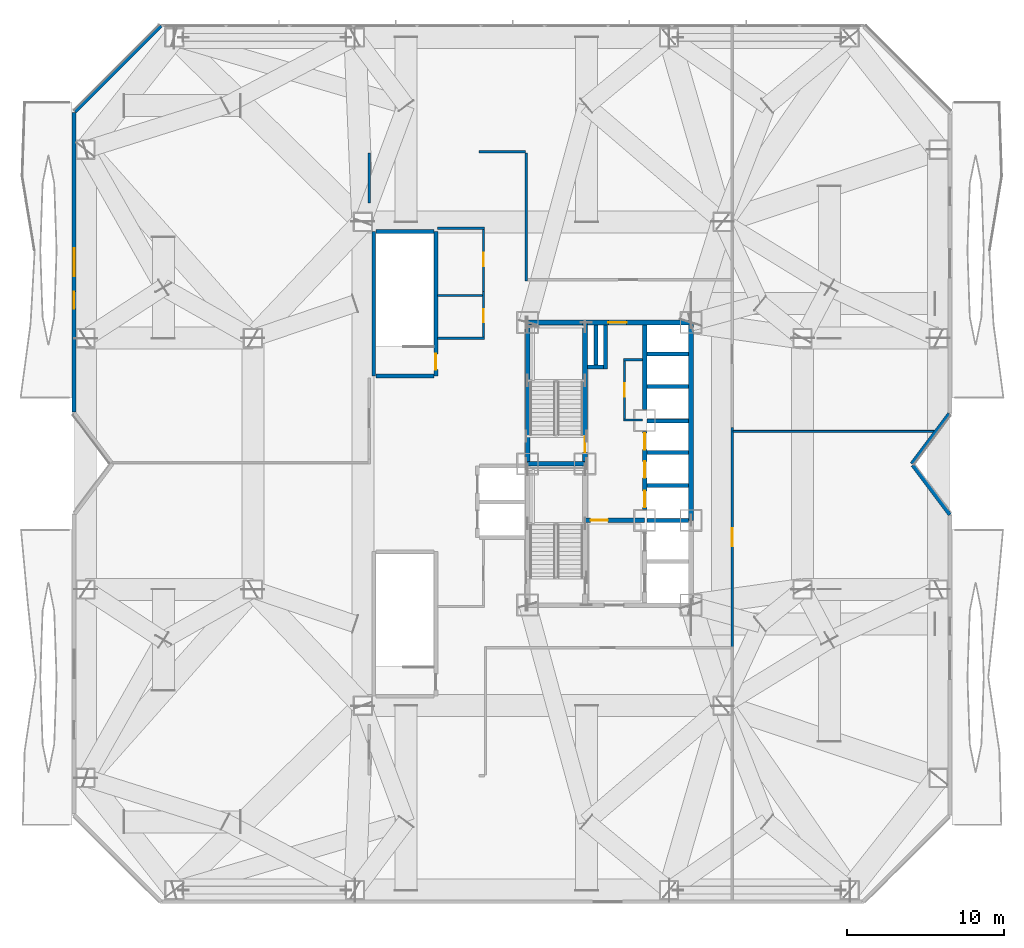
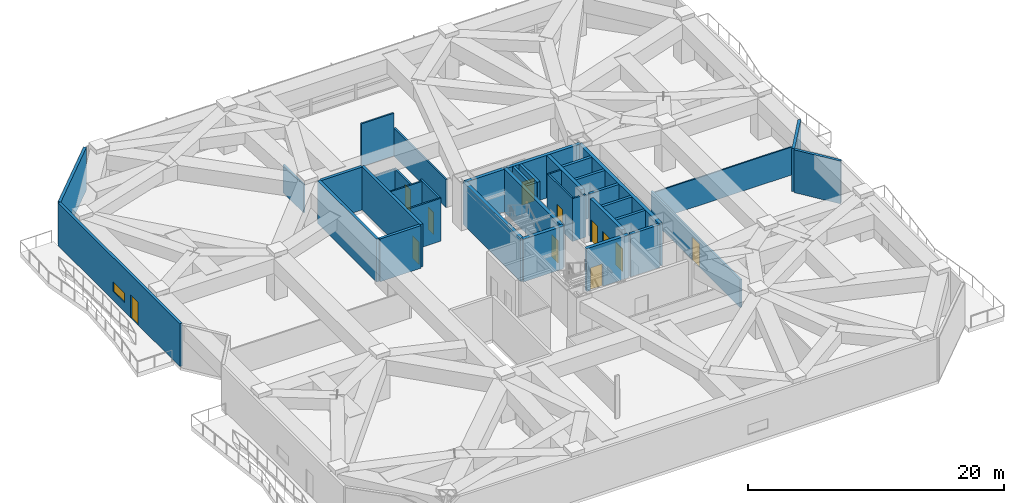
# One storey, part 21 of 27: 38 walls, 12 doors, 1 window, 13 openings.
"""IFC4 building model written with IfcOpenShell, lengths in metres."""

from ifc_helpers import new_model, si_unit, direction, frame, frame_2d, origin, place, context, subcontext, project, spatial, rectangle, extrude, material, layer, layer_set, type_object, element, fill, save


model = new_model("IFC4")

# Units and contexts
model_context = context("Model", 3, precision=1e-05, world=origin(), true_north=direction((0.0, 1.0)))
body_context = subcontext(model_context, "Body", "Model", "MODEL_VIEW")
ifc_project = project(units=[si_unit("LENGTHUNIT", "METRE"), si_unit("AREAUNIT", "SQUARE_METRE"), si_unit("VOLUMEUNIT", "CUBIC_METRE"), si_unit("PLANEANGLEUNIT", "RADIAN"), si_unit("MASSUNIT", "GRAM", prefix="KILO")], contexts=[model_context])

# Site, building, storey
site_placement = place(None, origin())
site = spatial("IfcSite", under=ifc_project, at=site_placement, CompositionType="ELEMENT")
building_placement = place(site_placement, origin())
building = spatial("IfcBuilding", under=site, at=building_placement, Name="Khamvora Tower", CompositionType="ELEMENT")
storey_placement = place(building_placement, frame((0.0, 0.0, 28.800048828125)))
storey = spatial("IfcBuildingStorey", under=building, at=storey_placement, Name="L06", CompositionType="ELEMENT", Elevation=28.800048828125)

# Wall
ifc_material_1 = material(Name="Concrete C50/60", Category="concrete")
ifc_layer_1 = layer(ifc_material_1, 0.300048828125)
ifc_layer_set_1 = layer_set([ifc_layer_1], Name="Concrete C50/60")
wall_type_1 = type_object("IfcWallType", Name="WAL-CORE-300", PredefinedType="SHEAR", material=ifc_layer_set_1)
wall_1_placement = place(storey_placement, frame((29.0, 28.0, 0.0), z_axis=(0.0, 0.0, 1.0), x_axis=(0.0, 1.0, 0.0)))
element("IfcWall", 1, at=wall_1_placement, inside=storey, type_object=wall_type_1, Name="L06 central core west north wall", PredefinedType="SHEAR", context=body_context, shape_type="SweptSolid", body=[
    extrude(rectangle(XDim=9.0, YDim=0.300048828125, at=frame_2d((4.5, 0.0))), origin(), (0.0, 0.0, 1.0), 4.079833984375),
])

# Wall, opening, door
wall_2_placement = place(storey_placement, frame((29.0, 37.0, 0.0), z_axis=(0.0, 0.0, 1.0), x_axis=(1.0, 0.0, 0.0)))
wall_2 = element("IfcWall", 2, at=wall_2_placement, inside=storey, type_object=wall_type_1, Name="L06 central core north wall", PredefinedType="SHEAR", context=body_context, shape_type="SweptSolid", body=[
    extrude(rectangle(XDim=10.39990234375, YDim=0.300048828125, at=frame_2d((5.199951171875, 0.0))), origin(), (0.0, 0.0, 1.0), 4.079833984375),
])
opening_1_placement = place(wall_2_placement, frame((5.139892578125, 0.0, 0.0)))
opening_1 = element("IfcOpeningElement", 3, at=opening_1_placement, cuts=wall_2, Name="Opening D-SC1", PredefinedType="OPENING", context=body_context, shape_type="SweptSolid", body=[
    extrude(rectangle(XDim=1.14990234375, YDim=2.199951171875, at=frame_2d((0.574951171875, 1.10009765625))), frame((0.0, 0.159912109375, 0.0), z_axis=(0.0, -1.0, 0.0), x_axis=(1.0, 0.0, 0.0)), (0.0, 0.0, 1.0), 0.320068359375),
])
ifc_material_2 = material(Name="Powder-Coated Steel and Hardwood Leaf", Category="steel")
door_type_1 = type_object("IfcDoorType", Name="DOR-SCHL-1150", OperationType="NOTDEFINED", PredefinedType="DOOR", material=ifc_material_2)
door_1_placement = place(opening_1_placement, origin())
door_1 = element("IfcDoor", 4, at=door_1_placement, inside=storey, type_object=door_type_1, Name="L06 north core lobby to corridor fire door", OperationType="SINGLE_SWING_LEFT", OverallHeight=2.199951171875, OverallWidth=1.14990234375, PredefinedType="DOOR", context=body_context, shape_type="SweptSolid", body=[
    extrude(rectangle(XDim=1.14990234375, YDim=2.199951171875, at=frame_2d((0.574951171875, 1.10009765625))), frame((0.0, 0.02490234375, 0.0), z_axis=(0.0, -1.0, 0.0), x_axis=(1.0, 0.0, 0.0)), (0.0, 0.0, 1.0), 0.050048828125),
])
fill(opening_1, door_1)

# Wall
wall_3_placement = place(storey_placement, frame((39.39990234375, 24.39990234375, 0.0), z_axis=(0.0, 0.0, 1.0), x_axis=(0.0, 1.0, 0.0)))
element("IfcWall", 5, at=wall_3_placement, inside=storey, type_object=wall_type_1, Name="L06 central core east north wall", PredefinedType="SHEAR", context=body_context, shape_type="SweptSolid", body=[
    extrude(rectangle(XDim=12.60009765625, YDim=0.300048828125, at=frame_2d((6.300048828125, 0.0))), origin(), (0.0, 0.0, 1.0), 4.079833984375),
])

# Wall, opening, door
wall_4_placement = place(storey_placement, frame((32.64990234375, 28.0, 0.0), z_axis=(0.0, 0.0, 1.0), x_axis=(0.0, 1.0, 0.0)))
wall_4 = element("IfcWall", 6, at=wall_4_placement, inside=storey, type_object=wall_type_1, Name="L06 central core stair north spine wall", PredefinedType="SHEAR", context=body_context, shape_type="SweptSolid", body=[
    extrude(rectangle(XDim=9.0, YDim=0.300048828125, at=frame_2d((4.5, 0.0))), origin(), (0.0, 0.0, 1.0), 4.079833984375),
])
opening_2_placement = place(wall_4_placement, frame((0.719970703125, 0.0, 0.0)))
opening_2 = element("IfcOpeningElement", 7, at=opening_2_placement, cuts=wall_4, Name="Opening D-ST1", PredefinedType="OPENING", context=body_context, shape_type="SweptSolid", body=[
    extrude(rectangle(XDim=1.0, YDim=2.14990234375, at=frame_2d((0.5, 1.074951171875))), frame((0.0, 0.159912109375, 0.0), z_axis=(0.0, -1.0, 0.0), x_axis=(1.0, 0.0, 0.0)), (0.0, 0.0, 1.0), 0.320068359375),
])
door_type_2 = type_object("IfcDoorType", Name="DOR-STAIR-1000", OperationType="NOTDEFINED", PredefinedType="DOOR", material=ifc_material_2)
door_2_placement = place(opening_2_placement, origin())
door_2 = element("IfcDoor", 8, at=door_2_placement, inside=storey, type_object=door_type_2, Name="L06 exit stair ST-02 fire door", OperationType="SINGLE_SWING_RIGHT", OverallHeight=2.14990234375, OverallWidth=1.0, PredefinedType="DOOR", context=body_context, shape_type="SweptSolid", body=[
    extrude(rectangle(XDim=1.0, YDim=2.14990234375, at=frame_2d((0.5, 1.074951171875))), frame((0.0, 0.02490234375, 0.0), z_axis=(0.0, -1.0, 0.0), x_axis=(1.0, 0.0, 0.0)), (0.0, 0.0, 1.0), 0.050048828125),
])
fill(opening_2, door_2)

# Wall
wall_5_placement = place(storey_placement, frame((29.0, 28.0, 0.0), z_axis=(0.0, 0.0, 1.0), x_axis=(1.0, 0.0, 0.0)))
element("IfcWall", 9, at=wall_5_placement, inside=storey, type_object=wall_type_1, Name="L06 central core stair cross wall", PredefinedType="SHEAR", context=body_context, shape_type="SweptSolid", body=[
    extrude(rectangle(XDim=3.64990234375, YDim=0.300048828125, at=frame_2d((1.824951171875, 0.0))), origin(), (0.0, 0.0, 1.0), 4.079833984375),
])

# Wall, opening, door
wall_6_placement = place(storey_placement, frame((32.64990234375, 24.39990234375, 0.0), z_axis=(0.0, 0.0, 1.0), x_axis=(1.0, 0.0, 0.0)))
wall_6 = element("IfcWall", 10, at=wall_6_placement, inside=storey, type_object=wall_type_1, Name="L06 central core firefighting lobby north wall", PredefinedType="SHEAR", context=body_context, shape_type="SweptSolid", body=[
    extrude(rectangle(XDim=3.800048828125, YDim=0.300048828125, at=frame_2d((1.89990234375, 0.0))), origin(), (0.0, 0.0, 1.0), 4.079833984375),
])
opening_3_placement = place(wall_6_placement, frame((0.35009765625, 0.0, 0.0)))
opening_3 = element("IfcOpeningElement", 11, at=opening_3_placement, cuts=wall_6, Name="Opening D-FF1", PredefinedType="OPENING", context=body_context, shape_type="SweptSolid", body=[
    extrude(rectangle(XDim=1.10009765625, YDim=2.14990234375, at=frame_2d((0.550048828125, 1.074951171875))), frame((0.0, 0.159912109375, 0.0), z_axis=(0.0, -1.0, 0.0), x_axis=(1.0, 0.0, 0.0)), (0.0, 0.0, 1.0), 0.320068359375),
])
door_type_3 = type_object("IfcDoorType", Name="DOR-FFLOB-1100", OperationType="NOTDEFINED", PredefinedType="DOOR", material=ifc_material_2)
door_3_placement = place(opening_3_placement, origin())
door_3 = element("IfcDoor", 12, at=door_3_placement, inside=storey, type_object=door_type_3, Name="L06 firefighting lobby smoke-seal fire door", OperationType="SINGLE_SWING_LEFT", OverallHeight=2.14990234375, OverallWidth=1.10009765625, PredefinedType="DOOR", context=body_context, shape_type="SweptSolid", body=[
    extrude(rectangle(XDim=1.10009765625, YDim=2.14990234375, at=frame_2d((0.550048828125, 1.074951171875))), frame((0.0, 0.02490234375, 0.0), z_axis=(0.0, -1.0, 0.0), x_axis=(1.0, 0.0, 0.0)), (0.0, 0.0, 1.0), 0.050048828125),
])
fill(opening_3, door_3)

# Wall, openings, doors
wall_7_placement = place(storey_placement, frame((36.449951171875, 25.10009765625, 0.0), z_axis=(0.0, 0.0, 1.0), x_axis=(0.0, 1.0, 0.0)))
wall_7 = element("IfcWall", 13, at=wall_7_placement, inside=storey, type_object=wall_type_1, Name="L06 central core lift bank central wall", PredefinedType="SHEAR", context=body_context, shape_type="SweptSolid", body=[
    extrude(rectangle(XDim=4.949951171875, YDim=0.300048828125, at=frame_2d((2.47509765625, 0.0))), origin(), (0.0, 0.0, 1.0), 4.079833984375),
])
opening_4_placement = place(wall_7_placement, frame((0.1201171875, 0.0, 0.0)))
opening_4 = element("IfcOpeningElement", 14, at=opening_4_placement, cuts=wall_7, Name="Opening LD-PL", PredefinedType="OPENING", context=body_context, shape_type="SweptSolid", body=[
    extrude(rectangle(XDim=1.050048828125, YDim=2.14990234375, at=frame_2d((0.52490234375, 1.074951171875))), frame((0.0, 0.159912109375, 0.0), z_axis=(0.0, -1.0, 0.0), x_axis=(1.0, 0.0, 0.0)), (0.0, 0.0, 1.0), 0.320068359375),
])
opening_5_placement = place(wall_7_placement, frame((1.9951171875, 0.0, 0.0)))
opening_5 = element("IfcOpeningElement", 15, at=opening_5_placement, cuts=wall_7, Name="Opening LD-PL", PredefinedType="OPENING", context=body_context, shape_type="SweptSolid", body=[
    extrude(rectangle(XDim=1.050048828125, YDim=2.14990234375, at=frame_2d((0.52490234375, 1.074951171875))), frame((0.0, 0.159912109375, 0.0), z_axis=(0.0, -1.0, 0.0), x_axis=(1.0, 0.0, 0.0)), (0.0, 0.0, 1.0), 0.320068359375),
])
opening_6_placement = place(wall_7_placement, frame((3.794921875, 0.0, 0.0)))
opening_6 = element("IfcOpeningElement", 16, at=opening_6_placement, cuts=wall_7, Name="Opening LD-PL", PredefinedType="OPENING", context=body_context, shape_type="SweptSolid", body=[
    extrude(rectangle(XDim=1.050048828125, YDim=2.14990234375, at=frame_2d((0.52490234375, 1.074951171875))), frame((0.0, 0.159912109375, 0.0), z_axis=(0.0, -1.0, 0.0), x_axis=(1.0, 0.0, 0.0)), (0.0, 0.0, 1.0), 0.320068359375),
])
door_type_4 = type_object("IfcDoorType", Name="DOR-LIFT-1050", OperationType="SLIDING_TO_LEFT", PredefinedType="DOOR", material=ifc_material_2)
door_4_placement = place(opening_4_placement, origin())
door_4 = element("IfcDoor", 17, at=door_4_placement, inside=storey, type_object=door_type_4, Name="L06 lift landing sliding door PL-01", OperationType="SLIDING_TO_LEFT", OverallHeight=2.14990234375, OverallWidth=1.050048828125, PredefinedType="DOOR", context=body_context, shape_type="SweptSolid", body=[
    extrude(rectangle(XDim=1.050048828125, YDim=2.14990234375, at=frame_2d((0.52490234375, 1.074951171875))), frame((0.0, 0.02490234375, 0.0), z_axis=(0.0, -1.0, 0.0), x_axis=(1.0, 0.0, 0.0)), (0.0, 0.0, 1.0), 0.050048828125),
])
fill(opening_4, door_4)
door_5_placement = place(opening_5_placement, origin())
door_5 = element("IfcDoor", 18, at=door_5_placement, inside=storey, type_object=door_type_4, Name="L06 lift landing sliding door PL-02", OperationType="SLIDING_TO_LEFT", OverallHeight=2.14990234375, OverallWidth=1.050048828125, PredefinedType="DOOR", context=body_context, shape_type="SweptSolid", body=[
    extrude(rectangle(XDim=1.050048828125, YDim=2.14990234375, at=frame_2d((0.52490234375, 1.074951171875))), frame((0.0, 0.02490234375, 0.0), z_axis=(0.0, -1.0, 0.0), x_axis=(1.0, 0.0, 0.0)), (0.0, 0.0, 1.0), 0.050048828125),
])
fill(opening_5, door_5)
door_6_placement = place(opening_6_placement, origin())
door_6 = element("IfcDoor", 19, at=door_6_placement, inside=storey, type_object=door_type_4, Name="L06 lift landing sliding door PL-03", OperationType="SLIDING_TO_LEFT", OverallHeight=2.14990234375, OverallWidth=1.050048828125, PredefinedType="DOOR", context=body_context, shape_type="SweptSolid", body=[
    extrude(rectangle(XDim=1.050048828125, YDim=2.14990234375, at=frame_2d((0.52490234375, 1.074951171875))), frame((0.0, 0.02490234375, 0.0), z_axis=(0.0, -1.0, 0.0), x_axis=(1.0, 0.0, 0.0)), (0.0, 0.0, 1.0), 0.050048828125),
])
fill(opening_6, door_6)

# Walls
wall_8_placement = place(storey_placement, frame((36.449951171875, 31.449951171875, 0.0), z_axis=(0.0, 0.0, 1.0), x_axis=(0.0, 1.0, 0.0)))
element("IfcWall", 20, at=wall_8_placement, inside=storey, type_object=wall_type_1, Name="L06 central core lift bank north wall", PredefinedType="SHEAR", context=body_context, shape_type="SweptSolid", body=[
    extrude(rectangle(XDim=5.39599609375, YDim=0.300048828125, at=frame_2d((2.697998046875, 0.0))), origin(), (0.0, 0.0, 1.0), 4.079833984375),
])
ifc_material_3 = material(Name="Fire-Rated Drywall and Steel Stud", Category="steel")
ifc_layer_2 = layer(ifc_material_3, 0.14990234375)
ifc_layer_set_2 = layer_set([ifc_layer_2], Name="Fire-Rated Drywall and Steel Stud")
wall_type_2 = type_object("IfcWallType", Name="WAL-CORR-150", PredefinedType="STANDARD", material=ifc_layer_set_2)
wall_9_placement = place(storey_placement, frame((36.305908203125, 34.614990234375, 0.0), z_axis=(0.0, 0.0, 1.0), x_axis=(-1.0, 0.0, 0.0)))
element("IfcWall", 21, at=wall_9_placement, inside=storey, type_object=wall_type_2, Name="L06 interior partition wall 001", PredefinedType="STANDARD", context=body_context, shape_type="SweptSolid", body=[
    extrude(rectangle(XDim=1.205810546875, YDim=0.14990234375, at=frame_2d((0.60302734375, 0.0))), origin(), (0.0, 0.0, 1.0), 4.079833984375),
])

# Wall, opening, door
wall_10_placement = place(storey_placement, frame((35.1650390625, 34.677978515625, 0.0), z_axis=(0.0, 0.0, 1.0), x_axis=(0.0, -1.0, 0.0)))
wall_10 = element("IfcWall", 22, at=wall_10_placement, inside=storey, type_object=wall_type_2, Name="L06 interior partition wall 002", PredefinedType="STANDARD", context=body_context, shape_type="SweptSolid", body=[
    extrude(rectangle(XDim=3.9580078125, YDim=0.14990234375, at=frame_2d((1.97900390625, 0.0))), origin(), (0.0, 0.0, 1.0), 4.079833984375),
])
opening_7_placement = place(wall_10_placement, frame((1.553955078125, 0.0, 0.0)))
opening_7 = element("IfcOpeningElement", 23, at=opening_7_placement, cuts=wall_10, Name="Opening D-WC1", PredefinedType="OPENING", context=body_context, shape_type="SweptSolid", body=[
    extrude(rectangle(XDim=0.85009765625, YDim=2.10009765625, at=frame_2d((0.425048828125, 1.050048828125))), frame((0.0, 0.0849609375, 0.0), z_axis=(0.0, -1.0, 0.0), x_axis=(1.0, 0.0, 0.0)), (0.0, 0.0, 1.0), 0.169921875),
])
door_type_5 = type_object("IfcDoorType", Name="DOR-WET-850", OperationType="NOTDEFINED", PredefinedType="DOOR", material=ifc_material_2)
door_7_placement = place(opening_7_placement, origin())
door_7 = element("IfcDoor", 24, at=door_7_placement, inside=storey, type_object=door_type_5, Name="L06 interior door PLL-CS1", OperationType="SINGLE_SWING_RIGHT", OverallHeight=2.10009765625, OverallWidth=0.85009765625, PredefinedType="DOOR", context=body_context, shape_type="SweptSolid", body=[
    extrude(rectangle(XDim=0.85009765625, YDim=2.10009765625, at=frame_2d((0.425048828125, 1.050048828125))), frame((0.0, 0.02490234375, 0.0), z_axis=(0.0, -1.0, 0.0), x_axis=(1.0, 0.0, 0.0)), (0.0, 0.0, 1.0), 0.050048828125),
])
fill(opening_7, door_7)

# Walls
wall_11_placement = place(storey_placement, frame((35.10205078125, 30.784912109375, 0.0), z_axis=(0.0, 0.0, 1.0), x_axis=(1.0, 0.0, 0.0)))
element("IfcWall", 25, at=wall_11_placement, inside=storey, type_object=wall_type_2, Name="L06 interior partition wall 003", PredefinedType="STANDARD", context=body_context, shape_type="SweptSolid", body=[
    extrude(rectangle(XDim=1.197998046875, YDim=0.14990234375, at=frame_2d((0.59912109375, 0.0))), origin(), (0.0, 0.0, 1.0), 4.079833984375),
])
wall_12_placement = place(storey_placement, frame((23.26708984375, 35.985107421875, 0.0), z_axis=(0.0, 0.0, 1.0), x_axis=(1.0, 0.0, 0.0)))
element("IfcWall", 26, at=wall_12_placement, inside=storey, type_object=wall_type_2, Name="L06 interior partition wall 006", PredefinedType="STANDARD", context=body_context, shape_type="SweptSolid", body=[
    extrude(rectangle(XDim=2.98291015625, YDim=0.14990234375, at=frame_2d((1.491455078125, 0.0))), origin(), (0.0, 0.0, 1.0), 4.079833984375),
])

# Wall, opening, door
wall_13_placement = place(storey_placement, frame((26.18505859375, 35.922119140625, 0.0), z_axis=(0.0, 0.0, 1.0), x_axis=(0.0, 1.0, 0.0)))
wall_13 = element("IfcWall", 27, at=wall_13_placement, inside=storey, type_object=wall_type_2, Name="L06 interior partition wall 007", PredefinedType="STANDARD", context=body_context, shape_type="SweptSolid", body=[
    extrude(rectangle(XDim=3.0419921875, YDim=0.14990234375, at=frame_2d((1.52099609375, 0.0))), origin(), (0.0, 0.0, 1.0), 4.079833984375),
])
opening_8_placement = place(wall_13_placement, frame((1.074951171875, 0.0, 0.0)))
opening_8 = element("IfcOpeningElement", 28, at=opening_8_placement, cuts=wall_13, Name="Opening D-WC1", PredefinedType="OPENING", context=body_context, shape_type="SweptSolid", body=[
    extrude(rectangle(XDim=0.85009765625, YDim=2.10009765625, at=frame_2d((0.425048828125, 1.050048828125))), frame((0.0, 0.0849609375, 0.0), z_axis=(0.0, -1.0, 0.0), x_axis=(1.0, 0.0, 0.0)), (0.0, 0.0, 1.0), 0.169921875),
])
door_8_placement = place(opening_8_placement, origin())
door_8 = element("IfcDoor", 29, at=door_8_placement, inside=storey, type_object=door_type_5, Name="L06 interior door SCOR-WCA", OperationType="SINGLE_SWING_RIGHT", OverallHeight=2.10009765625, OverallWidth=0.85009765625, PredefinedType="DOOR", context=body_context, shape_type="SweptSolid", body=[
    extrude(rectangle(XDim=0.85009765625, YDim=2.10009765625, at=frame_2d((0.425048828125, 1.050048828125))), frame((0.0, 0.02490234375, 0.0), z_axis=(0.0, -1.0, 0.0), x_axis=(1.0, 0.0, 0.0)), (0.0, 0.0, 1.0), 0.050048828125),
])
fill(opening_8, door_8)

wall_14_placement = place(storey_placement, frame((26.18505859375, 38.964111328125, 0.0), z_axis=(0.0, 0.0, 1.0), x_axis=(0.0, 1.0, 0.0)))
wall_14 = element("IfcWall", 30, at=wall_14_placement, inside=storey, type_object=wall_type_2, Name="L06 interior partition wall 008", PredefinedType="STANDARD", context=body_context, shape_type="SweptSolid", body=[
    extrude(rectangle(XDim=4.0859375, YDim=0.14990234375, at=frame_2d((2.04296875, 0.0))), origin(), (0.0, 0.0, 1.0), 2.669921875),
])
opening_9_placement = place(wall_14_placement, frame((1.617919921875, 0.0, 0.0)))
opening_9 = element("IfcOpeningElement", 31, at=opening_9_placement, cuts=wall_14, Name="Opening D-WC1", PredefinedType="OPENING", context=body_context, shape_type="SweptSolid", body=[
    extrude(rectangle(XDim=0.85009765625, YDim=2.10009765625, at=frame_2d((0.425048828125, 1.050048828125))), frame((0.0, 0.0849609375, 0.0), z_axis=(0.0, -1.0, 0.0), x_axis=(1.0, 0.0, 0.0)), (0.0, 0.0, 1.0), 0.169921875),
])
door_9_placement = place(opening_9_placement, origin())
door_9 = element("IfcDoor", 32, at=door_9_placement, inside=storey, type_object=door_type_5, Name="L06 interior door SCOR-WCF", OperationType="SINGLE_SWING_LEFT", OverallHeight=2.10009765625, OverallWidth=0.85009765625, PredefinedType="DOOR", context=body_context, shape_type="SweptSolid", body=[
    extrude(rectangle(XDim=0.85009765625, YDim=2.10009765625, at=frame_2d((0.425048828125, 1.050048828125))), frame((0.0, 0.02490234375, 0.0), z_axis=(0.0, -1.0, 0.0), x_axis=(1.0, 0.0, 0.0)), (0.0, 0.0, 1.0), 0.050048828125),
])
fill(opening_9, door_9)

# Walls
wall_15_placement = place(storey_placement, frame((26.25, 42.985107421875, 0.0), z_axis=(0.0, 0.0, 1.0), x_axis=(-1.0, 0.0, 0.0)))
element("IfcWall", 33, at=wall_15_placement, inside=storey, type_object=wall_type_2, Name="L06 interior partition wall 009", PredefinedType="STANDARD", context=body_context, shape_type="SweptSolid", body=[
    extrude(rectangle(XDim=3.0, YDim=0.14990234375, at=frame_2d((1.5, 0.0))), origin(), (0.0, 0.0, 1.0), 2.669921875),
])
wall_16_placement = place(storey_placement, frame((18.9150390625, 44.60009765625, 0.0), z_axis=(0.0, 0.0, 1.0), x_axis=(0.0, 1.0, 0.0)))
element("IfcWall", 34, at=wall_16_placement, inside=storey, type_object=wall_type_2, Name="L06 interior partition wall 013", PredefinedType="STANDARD", context=body_context, shape_type="SweptSolid", body=[
    extrude(rectangle(XDim=3.199951171875, YDim=0.14990234375, at=frame_2d((1.60009765625, 0.0))), origin(), (0.0, 0.0, 1.0), 2.669921875),
])

# Wall, opening, door
wall_17_placement = place(storey_placement, frame((42.014892578125, 30.31396484375, 0.0), z_axis=(0.0, 0.0, 1.0), x_axis=(0.0, -1.0, 0.0)))
wall_17 = element("IfcWall", 35, at=wall_17_placement, inside=storey, type_object=wall_type_2, Name="L06 interior partition wall 014", PredefinedType="STANDARD", context=body_context, shape_type="SweptSolid", body=[
    extrude(rectangle(XDim=13.9638671875, YDim=0.14990234375, at=frame_2d((6.98193359375, 0.0))), origin(), (0.0, 0.0, 1.0), 2.669921875),
])
opening_10_placement = place(wall_17_placement, frame((6.427978515625, 0.0, 0.0)))
opening_10 = element("IfcOpeningElement", 36, at=opening_10_placement, cuts=wall_17, Name="Opening D-SC1", PredefinedType="OPENING", context=body_context, shape_type="SweptSolid", body=[
    extrude(rectangle(XDim=1.14990234375, YDim=2.199951171875, at=frame_2d((0.574951171875, 1.10009765625))), frame((0.0, 0.0849609375, 0.0), z_axis=(0.0, -1.0, 0.0), x_axis=(1.0, 0.0, 0.0)), (0.0, 0.0, 1.0), 0.169921875),
])
door_10_placement = place(opening_10_placement, origin())
door_10 = element("IfcDoor", 37, at=door_10_placement, inside=storey, type_object=door_type_1, Name="L06 interior door SCOR-EXH", OperationType="SINGLE_SWING_RIGHT", OverallHeight=2.199951171875, OverallWidth=1.14990234375, PredefinedType="DOOR", context=body_context, shape_type="SweptSolid", body=[
    extrude(rectangle(XDim=1.14990234375, YDim=2.199951171875, at=frame_2d((0.574951171875, 1.10009765625))), frame((0.0, 0.02490234375, 0.0), z_axis=(0.0, -1.0, 0.0), x_axis=(1.0, 0.0, 0.0)), (0.0, 0.0, 1.0), 0.050048828125),
])
fill(opening_10, door_10)

# Walls
wall_18_placement = place(storey_placement, frame((25.910888671875, 47.864990234375, 0.0), z_axis=(0.0, 0.0, 1.0), x_axis=(1.0, 0.0, 0.0)))
element("IfcWall", 38, at=wall_18_placement, inside=storey, type_object=wall_type_2, Name="L06 interior partition wall 019", PredefinedType="STANDARD", context=body_context, shape_type="SweptSolid", body=[
    extrude(rectangle(XDim=2.939208984375, YDim=0.14990234375, at=frame_2d((1.4697265625, 0.0))), origin(), (0.0, 0.0, 1.0), 4.079833984375),
])
wall_19_placement = place(storey_placement, frame((28.9150390625, 47.800048828125, 0.0), z_axis=(0.0, 0.0, 1.0), x_axis=(0.0, -1.0, 0.0)))
element("IfcWall", 39, at=wall_19_placement, inside=storey, type_object=wall_type_2, Name="L06 interior partition wall 020", PredefinedType="STANDARD", context=body_context, shape_type="SweptSolid", body=[
    extrude(rectangle(XDim=8.150146484375, YDim=0.14990234375, at=frame_2d((4.0751953125, 0.0))), origin(), (0.0, 0.0, 1.0), 2.669921875),
])

# Wall, openings, door, window
ifc_material_4 = material(Name="Precast concrete C40/50", Category="concrete")
ifc_layer_3 = layer(ifc_material_4, 0.239990234375)
ifc_layer_set_3 = layer_set([ifc_layer_3], Name="Precast concrete C40/50")
wall_type_3 = type_object("IfcWallType", Name="WAL-EXT-240", PredefinedType="STANDARD", material=ifc_layer_set_3)
wall_20_placement = place(storey_placement, frame((0.1201171875, 31.303955078125, 0.0), z_axis=(0.0, 0.0, 1.0), x_axis=(0.0, 1.0, 0.0)))
wall_20 = element("IfcWall", 40, at=wall_20_placement, inside=storey, type_object=wall_type_3, Name="L06 exterior facade wall 05.1", PredefinedType="STANDARD", context=body_context, shape_type="SweptSolid", body=[
    extrude(rectangle(XDim=19.046142578125, YDim=0.239990234375, at=frame_2d((9.52294921875, 0.0))), origin(), (0.0, 0.0, 1.0), 4.079833984375),
])
opening_11_placement = place(wall_20_placement, frame((6.56201171875, 0.0, 0.0)))
opening_11 = element("IfcOpeningElement", 41, at=opening_11_placement, cuts=wall_20, Name="Opening BD-01", PredefinedType="OPENING", context=body_context, shape_type="SweptSolid", body=[
    extrude(rectangle(XDim=1.10009765625, YDim=2.199951171875, at=frame_2d((0.550048828125, 1.10009765625))), frame((0.0, 0.1298828125, 0.0), z_axis=(0.0, -1.0, 0.0), x_axis=(1.0, 0.0, 0.0)), (0.0, 0.0, 1.0), 0.260009765625),
])
opening_12_placement = place(wall_20_placement, frame((8.623046875, 0.0, 0.85009765625)))
opening_12 = element("IfcOpeningElement", 42, at=opening_12_placement, cuts=wall_20, Name="Opening WN-09", PredefinedType="OPENING", context=body_context, shape_type="SweptSolid", body=[
    extrude(rectangle(XDim=1.800048828125, YDim=0.919921875, at=frame_2d((0.89990234375, 0.4599609375))), frame((0.0, 0.1298828125, 0.0), z_axis=(0.0, -1.0, 0.0), x_axis=(1.0, 0.0, 0.0)), (0.0, 0.0, 1.0), 0.260009765625),
])
ifc_material_5 = material(Name="Anodised Aluminium and Laminated Safety Glass", Category="aluminium")
door_type_6 = type_object("IfcDoorType", Name="DOR-BAL-1100", OperationType="NOTDEFINED", PredefinedType="DOOR", material=ifc_material_5)
door_11_placement = place(opening_11_placement, origin())
door_11 = element("IfcDoor", 43, at=door_11_placement, inside=storey, type_object=door_type_6, Name="L06 lens gallery balcony door WL2", OperationType="SLIDING_TO_LEFT", OverallHeight=2.199951171875, OverallWidth=1.10009765625, PredefinedType="DOOR", context=body_context, shape_type="SweptSolid", body=[
    extrude(rectangle(XDim=1.10009765625, YDim=2.199951171875, at=frame_2d((0.550048828125, 1.10009765625))), frame((0.0, 0.02490234375, 0.0), z_axis=(0.0, -1.0, 0.0), x_axis=(1.0, 0.0, 0.0)), (0.0, 0.0, 1.0), 0.050048828125),
])
fill(opening_11, door_11)
ifc_material_6 = material(Name="Low-E Laminated Double Glazing", Category="glass")
window_type = type_object("IfcWindowType", Name="WIN-CLR-1800x920", PartitioningType="SINGLE_PANEL", PredefinedType="WINDOW", material=ifc_material_6)
window_placement = place(opening_12_placement, origin())
window = element("IfcWindow", 44, at=window_placement, inside=storey, type_object=window_type, Name="L06 vision window 05.1.01", OverallHeight=0.919921875, OverallWidth=1.800048828125, PartitioningType="SINGLE_PANEL", PredefinedType="WINDOW", context=body_context, shape_type="SweptSolid", body=[
    extrude(rectangle(XDim=1.800048828125, YDim=0.919921875, at=frame_2d((0.89990234375, 0.4599609375))), frame((0.0, 0.030029296875, 0.0), z_axis=(0.0, -1.0, 0.0), x_axis=(1.0, 0.0, 0.0)), (0.0, 0.0, 1.0), 0.06005859375),
])
fill(opening_12, window)

# Walls
wall_21_placement = place(storey_placement, frame((0.175048828125, 50.405029296875, 0.0), z_axis=(0.0, 0.0, 1.0), x_axis=(0.707106781187, 0.707106781187, 0.0)))
element("IfcWall", 45, at=wall_21_placement, inside=storey, type_object=wall_type_3, Name="L06 exterior facade wall 06.1", PredefinedType="STANDARD", context=body_context, shape_type="SweptSolid", body=[
    extrude(rectangle(XDim=7.74267578125, YDim=0.239990234375, at=frame_2d((3.871337890625, 0.0))), origin(), (0.0, 0.0, 1.0), 4.079833984375),
])
wall_22_placement = place(storey_placement, frame((55.842041015625, 31.18896484375, 0.0), z_axis=(0.0, 0.0, 1.0), x_axis=(-0.600058791648, -0.799955902889, 0.0)))
element("IfcWall", 46, at=wall_22_placement, inside=storey, type_object=wall_type_3, Name="L06 exterior facade wall 10.1", PredefinedType="STANDARD", context=body_context, shape_type="SweptSolid", body=[
    extrude(rectangle(XDim=3.986328125, YDim=0.239990234375, at=frame_2d((1.9931640625, 0.0))), origin(), (0.0, 0.0, 1.0), 4.079833984375),
])
wall_23_placement = place(storey_placement, frame((53.512939453125, 27.916015625, 0.0), z_axis=(0.0, 0.0, 1.0), x_axis=(0.599990098106, -0.800007426325, 0.0)))
element("IfcWall", 47, at=wall_23_placement, inside=storey, type_object=wall_type_3, Name="L06 exterior facade wall 11.1", PredefinedType="STANDARD", context=body_context, shape_type="SweptSolid", body=[
    extrude(rectangle(XDim=3.945068359375, YDim=0.239990234375, at=frame_2d((1.97265625, 0.0))), origin(), (0.0, 0.0, 1.0), 4.079833984375),
])
ifc_material_7 = material(Name="Gypsum Plasterboard Partition", Category="gypsum")
ifc_layer_4 = layer(ifc_material_7, 0.1201171875)
ifc_layer_set_4 = layer_set([ifc_layer_4], Name="Gypsum Plasterboard Partition")
wall_type_4 = type_object("IfcWallType", Name="WAL-PART-120", PredefinedType="PARTITIONING", material=ifc_layer_set_4)
wall_24_placement = place(storey_placement, frame((42.08203125, 30.06494140625, 0.0), z_axis=(0.0, 0.0, 1.0), x_axis=(1.0, 0.0, 0.0)))
element("IfcWall", 48, at=wall_24_placement, inside=storey, type_object=wall_type_4, Name="L06 interior partition wall 024", PredefinedType="PARTITIONING", context=body_context, shape_type="SweptSolid", body=[
    extrude(rectangle(XDim=12.7978515625, YDim=0.1201171875, at=frame_2d((6.39892578125, 0.0))), origin(), (0.0, 0.0, 1.0), 2.669921875),
])
ifc_material_8 = material(Name="Concrete C40/50", Category="concrete")
ifc_layer_5 = layer(ifc_material_8, 0.25)
ifc_layer_set_5 = layer_set([ifc_layer_5], Name="Concrete C40/50")
wall_type_5 = type_object("IfcWallType", Name="WAL-PODS-250", PredefinedType="SHEAR", material=ifc_layer_set_5)
for number, where, z_axis, x_axis, name in (
    (49, (36.60400390625, 24.375, 0.0), (0.0, 0.0, 1.0), (1.0, 0.0, 0.0), "L06 lift shaft divider wall FFL-02"),
    (50, (36.60400390625, 26.625, 0.0), (0.0, 0.0, 1.0), (1.0, 0.0, 0.0), "L06 lift shaft divider wall PL-01"),
    (51, (36.60400390625, 28.72509765625, 0.0), (0.0, 0.0, 1.0), (1.0, 0.0, 0.0), "L06 lift shaft divider wall PL-02"),
    (52, (36.60400390625, 30.72509765625, 0.0), (0.0, 0.0, 1.0), (1.0, 0.0, 0.0), "L06 lift shaft divider wall PL-03"),
    (53, (36.60400390625, 32.925048828125, 0.0), (0.0, 0.0, 1.0), (1.0, 0.0, 0.0), "L06 lift shaft divider wall PH-01"),
    (54, (36.60400390625, 34.97509765625, 0.0), (0.0, 0.0, 1.0), (1.0, 0.0, 0.0), "L06 lift shaft divider wall PH-02"),
):
    element("IfcWall", number, at=place(storey_placement, frame(where, z_axis=z_axis, x_axis=x_axis)), inside=storey, type_object=wall_type_5, Name=name, PredefinedType="SHEAR", context=body_context, shape_type="SweptSolid", body=[
        extrude(rectangle(XDim=2.64208984375, YDim=0.25, at=frame_2d((1.321044921875, 0.0))), origin(), (0.0, 0.0, 1.0), 4.079833984375),
    ])
wall_25_placement = place(storey_placement, frame((33.955078125, 34.02490234375, 0.0), z_axis=(0.0, 0.0, 1.0), x_axis=(0.0, 1.0, 0.0)))
element("IfcWall", 55, at=wall_25_placement, inside=storey, type_object=wall_type_5, Name="L06 vertical MEP riser shaft east enclosure wall", PredefinedType="SHEAR", context=body_context, shape_type="SweptSolid", body=[
    extrude(rectangle(XDim=2.821044921875, YDim=0.25, at=frame_2d((1.41064453125, 0.0))), origin(), (0.0, 0.0, 1.0), 4.079833984375),
])
wall_26_placement = place(storey_placement, frame((32.803955078125, 34.14990234375, 0.0), z_axis=(0.0, 0.0, 1.0), x_axis=(1.0, 0.0, 0.0)))
element("IfcWall", 56, at=wall_26_placement, inside=storey, type_object=wall_type_5, Name="L06 vertical MEP riser shaft south enclosure wall", PredefinedType="SHEAR", context=body_context, shape_type="SweptSolid", body=[
    extrude(rectangle(XDim=1.02197265625, YDim=0.25, at=frame_2d((0.510986328125, 0.0))), origin(), (0.0, 0.0, 1.0), 4.079833984375),
])
wall_27_placement = place(storey_placement, frame((33.340087890625, 34.279052734375, 0.0), z_axis=(0.0, 0.0, 1.0), x_axis=(0.0, 1.0, 0.0)))
element("IfcWall", 57, at=wall_27_placement, inside=storey, type_object=wall_type_5, Name="L06 vertical MEP riser shaft divider enclosure wall", PredefinedType="SHEAR", context=body_context, shape_type="SweptSolid", body=[
    extrude(rectangle(XDim=2.56689453125, YDim=0.25, at=frame_2d((1.283447265625, 0.0))), origin(), (0.0, 0.0, 1.0), 4.079833984375),
])
wall_28_placement = place(storey_placement, frame((19.199951171875, 33.60009765625, 0.0), z_axis=(0.0, 0.0, 1.0), x_axis=(0.0, 1.0, 0.0)))
element("IfcWall", 58, at=wall_28_placement, inside=storey, type_object=wall_type_5, Name="L06 podium stair core wall st4 w", PredefinedType="SHEAR", context=body_context, shape_type="SweptSolid", body=[
    extrude(rectangle(XDim=9.199951171875, YDim=0.25, at=frame_2d((4.60009765625, 0.0))), origin(), (0.0, 0.0, 1.0), 4.079833984375),
])

# Wall, opening, door
wall_29_placement = place(storey_placement, frame((23.14990234375, 33.60009765625, 0.0), z_axis=(0.0, 0.0, 1.0), x_axis=(0.0, 1.0, 0.0)))
wall_29 = element("IfcWall", 59, at=wall_29_placement, inside=storey, type_object=wall_type_5, Name="L06 podium stair core wall st4 e", PredefinedType="SHEAR", context=body_context, shape_type="SweptSolid", body=[
    extrude(rectangle(XDim=9.199951171875, YDim=0.25, at=frame_2d((4.60009765625, 0.0))), origin(), (0.0, 0.0, 1.0), 4.079833984375),
])
opening_13_placement = place(wall_29_placement, frame((0.39990234375, 0.0, 0.0)))
opening_13 = element("IfcOpeningElement", 60, at=opening_13_placement, cuts=wall_29, Name="Opening D-ST1", PredefinedType="OPENING", context=body_context, shape_type="SweptSolid", body=[
    extrude(rectangle(XDim=1.0, YDim=2.14990234375, at=frame_2d((0.5, 1.074951171875))), frame((0.0, 0.135009765625, 0.0), z_axis=(0.0, -1.0, 0.0), x_axis=(1.0, 0.0, 0.0)), (0.0, 0.0, 1.0), 0.27001953125),
])
door_12_placement = place(opening_13_placement, origin())
door_12 = element("IfcDoor", 61, at=door_12_placement, inside=storey, type_object=door_type_2, Name="L06 podium stair ST4 enclosure door", OperationType="SINGLE_SWING_LEFT", OverallHeight=2.14990234375, OverallWidth=1.0, PredefinedType="DOOR", context=body_context, shape_type="SweptSolid", body=[
    extrude(rectangle(XDim=1.0, YDim=2.14990234375, at=frame_2d((0.5, 1.074951171875))), frame((0.0, 0.02490234375, 0.0), z_axis=(0.0, -1.0, 0.0), x_axis=(1.0, 0.0, 0.0)), (0.0, 0.0, 1.0), 0.050048828125),
])
fill(opening_13, door_12)

# Walls
for number, where, z_axis, x_axis, name in (
    (62, (19.3291015625, 33.60009765625, 0.0), (0.0, 0.0, 1.0), (1.0, 0.0, 0.0), "L06 podium stair core wall st4 s"),
    (63, (19.3291015625, 42.800048828125, 0.0), (0.0, 0.0, 1.0), (1.0, 0.0, 0.0), "L06 podium stair core wall st4 n"),
):
    element("IfcWall", number, at=place(storey_placement, frame(where, z_axis=z_axis, x_axis=x_axis)), inside=storey, type_object=wall_type_5, Name=name, PredefinedType="SHEAR", context=body_context, shape_type="SweptSolid", body=[
        extrude(rectangle(XDim=3.69189453125, YDim=0.25, at=frame_2d((1.845947265625, 0.0))), origin(), (0.0, 0.0, 1.0), 4.079833984375),
    ])
ifc_material_9 = material(Name="Moisture-Resistant Plasterboard Partition", Category="gypsum")
ifc_layer_6 = layer(ifc_material_9, 0.135009765625)
ifc_layer_set_6 = layer_set([ifc_layer_6], Name="Moisture-Resistant Plasterboard Partition")
wall_type_6 = type_object("IfcWallType", Name="WAL-WET-135", PredefinedType="PARTITIONING", material=ifc_layer_set_6)
wall_30_placement = place(storey_placement, frame((23.26708984375, 38.715087890625, 0.0), z_axis=(0.0, 0.0, 1.0), x_axis=(1.0, 0.0, 0.0)))
element("IfcWall", 64, at=wall_30_placement, inside=storey, type_object=wall_type_6, Name="L06 interior partition wall 022", PredefinedType="PARTITIONING", context=body_context, shape_type="SweptSolid", body=[
    extrude(rectangle(XDim=2.850830078125, YDim=0.135009765625, at=frame_2d((1.42529296875, 0.0))), origin(), (0.0, 0.0, 1.0), 4.079833984375),
])

save(model, "model.ifc")
